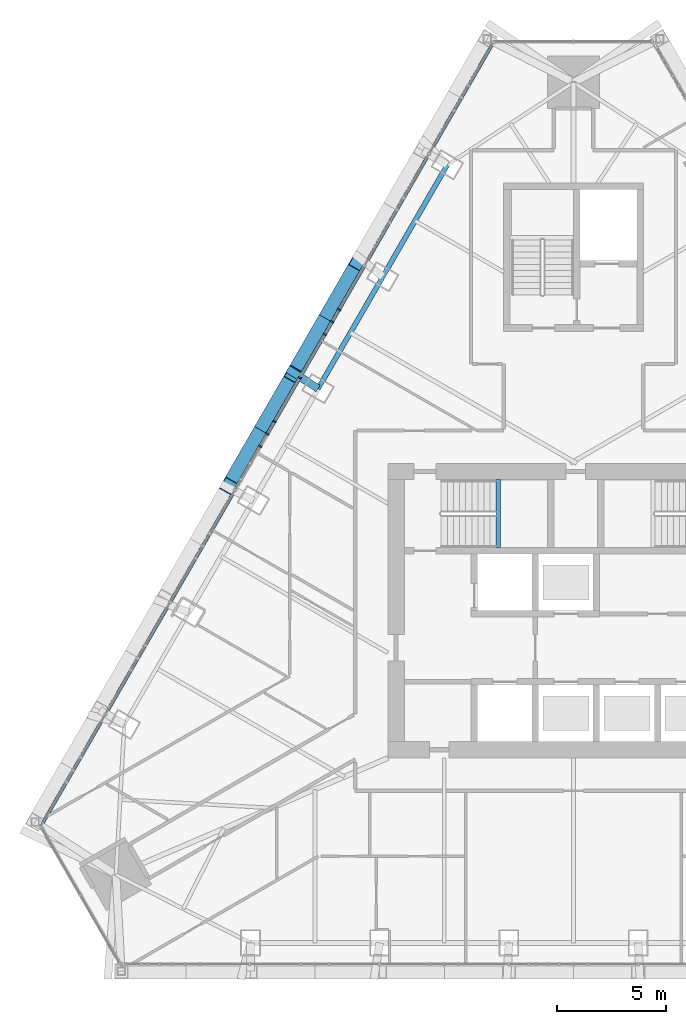
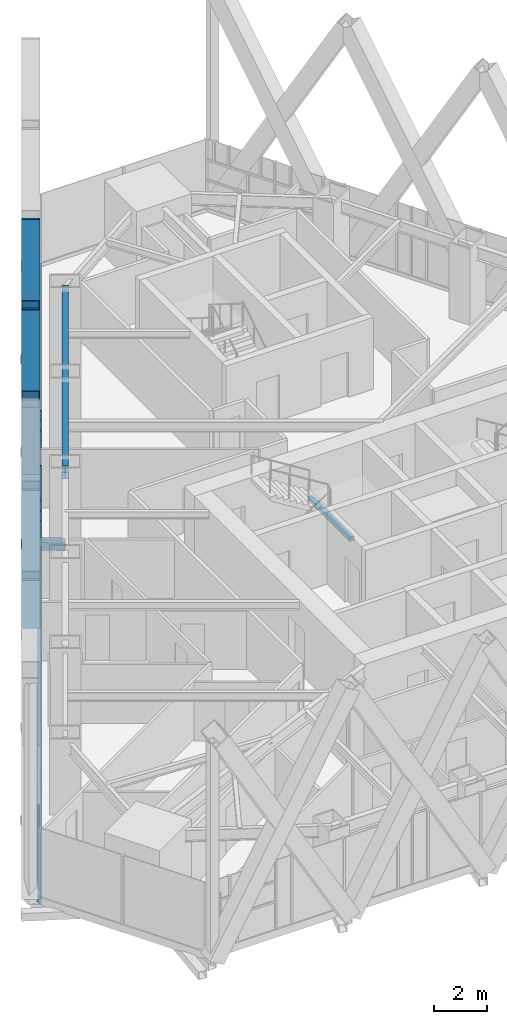
# One storey, part 5 of 23: 13 members, 2 beams, 1 element without a shape of its own.
"""IFC4 building model written with IfcOpenShell, lengths in metres."""

from ifc_helpers import new_model, si_unit, direction, frame, origin, origin_2d, place, context, subcontext, project, spatial, rectangle, hollow_rectangle, i_section, extrude, material, layer, layer_set, material_profile, profile_set, type_object, element, aggregate, save


model = new_model("IFC4")

# Units and contexts
model_context = context("Model", 3, precision=1e-05, world=origin(), true_north=direction((0.0, 1.0)))
body_context = subcontext(model_context, "Body", "Model", "MODEL_VIEW")
ifc_project = project(units=[si_unit("LENGTHUNIT", "METRE"), si_unit("AREAUNIT", "SQUARE_METRE"), si_unit("VOLUMEUNIT", "CUBIC_METRE"), si_unit("PLANEANGLEUNIT", "RADIAN"), si_unit("MASSUNIT", "GRAM", prefix="KILO")], contexts=[model_context])

# Site, building, storey
site_placement = place(None, origin())
site = spatial("IfcSite", under=ifc_project, at=site_placement, CompositionType="ELEMENT")
building_placement = place(site_placement, origin())
building = spatial("IfcBuilding", under=site, at=building_placement, Name="Firuza Gate Tower and Library", CompositionType="ELEMENT")
storey_placement = place(building_placement, frame((0.0, 0.0, 312.60009765625)))
storey = spatial("IfcBuildingStorey", under=building, at=storey_placement, Name="L76", CompositionType="ELEMENT", Elevation=312.60009765625)

# Members
ifc_material_1 = material(Name="Steel S355", Category="steel")
ifc_material_profile_1 = material_profile(ifc_material_1, hollow_rectangle(XDim=0.699951171875, YDim=0.699951171875, WallThickness=0.030029296875, at=origin_2d()))
ifc_profile_set_1 = profile_set([ifc_material_profile_1], Name="Steel S355")
member_type_1 = type_object("IfcMemberType", Name="BU700x700x30 Lattice brace", PredefinedType="BRACE", material=ifc_profile_set_1)
for number, where, z_axis, x_axis, name in (
    (1, (65.133544921875, 90.9501953125, 0.0), (-0.245560003274, -0.42533487865, 0.871085831475), (0.866031754707, -0.499988999718, 0.0), "Lattice brace W 20.3R"),
    (2, (62.173583984375, 85.8232421875, 0.0), (0.245560003274, 0.42533487865, 0.871085831475), (-0.866031754707, 0.499988999718, 0.0), "Lattice brace W 20.3L"),
    (3, (62.173583984375, 85.8232421875, 0.0), (-0.245560003274, -0.42533487865, 0.871085831475), (0.866031754707, -0.499988999718, 0.0), "Lattice brace W 20.4R"),
    (4, (59.213623046875, 80.6962890625, 0.0), (0.245560003274, 0.42533487865, 0.871085831475), (-0.866031754707, 0.499988999718, 0.0), "Lattice brace W 20.4L"),
):
    element("IfcMember", number, at=place(storey_placement, frame(where, z_axis=z_axis, x_axis=x_axis)), inside=storey, type_object=member_type_1, Name=name, PredefinedType="BRACE", context=body_context, shape_type="SweptSolid", body=[
        extrude(hollow_rectangle(XDim=0.699951171875, YDim=0.699951171875, WallThickness=0.030029296875, at=origin_2d()), origin(), (0.0, 0.0, 1.0), 12.053955078125),
    ])

# Curtain wall, members
ifc_material_2 = material(Name="Aluminium 6063-T6", Category="aluminium")
ifc_layer = layer(ifc_material_2, 0.14990234375)
ifc_layer_set = layer_set([ifc_layer], Name="Unitised curtain wall, residences")
curtain_wall_type = type_object("IfcCurtainWallType", Name="Unitised curtain wall, residences", PredefinedType="NOTDEFINED", material=ifc_layer_set)
curtain_wall_placement = place(storey_placement, origin())
curtain_wall = element("IfcCurtainWall", 5, at=curtain_wall_placement, inside=storey, type_object=curtain_wall_type, Name="CW3 L76 W face", PredefinedType="NOTDEFINED")
ifc_material_3 = material(Name="Aluminium 6063-T6", Category="aluminium")
ifc_material_profile_2 = material_profile(ifc_material_3, rectangle(XDim=0.14990234375, YDim=0.080078125, at=origin_2d()))
ifc_profile_set_2 = profile_set([ifc_material_profile_2], Name="Aluminium 6063-T6")
member_type_2 = type_object("IfcMemberType", Name="Curtain wall mullion 80x150", PredefinedType="MULLION", material=ifc_profile_set_2)
member_1_placement = place(storey_placement, frame((63.941162109375, 88.23486328125, 0.14990234375), z_axis=(0.0, 0.0, 1.0), x_axis=(0.866025403784, -0.5, 0.0)))
member_1 = element("IfcMember", 6, at=member_1_placement, type_object=member_type_2, Name="Mullion", PredefinedType="MULLION", context=body_context, shape_type="SweptSolid", body=[
    extrude(rectangle(XDim=0.14990234375, YDim=0.080078125, at=origin_2d()), origin(), (0.0, 0.0, 1.0), 3.14990234375),
])
member_2_placement = place(storey_placement, frame((62.458251953125, 85.666015625, 0.14990234375), z_axis=(0.0, 0.0, 1.0), x_axis=(0.866025403784, -0.5, 0.0)))
member_2 = element("IfcMember", 7, at=member_2_placement, type_object=member_type_2, Name="Mullion", PredefinedType="MULLION", context=body_context, shape_type="SweptSolid", body=[
    extrude(rectangle(XDim=0.14990234375, YDim=0.080078125, at=origin_2d()), origin(), (0.0, 0.0, 1.0), 3.14990234375),
])
member_3_placement = place(storey_placement, frame((60.97509765625, 83.097412109375, 0.14990234375), z_axis=(0.0, 0.0, 1.0), x_axis=(0.866025403784, -0.5, 0.0)))
member_3 = element("IfcMember", 8, at=member_3_placement, type_object=member_type_2, Name="Mullion", PredefinedType="MULLION", context=body_context, shape_type="SweptSolid", body=[
    extrude(rectangle(XDim=0.14990234375, YDim=0.080078125, at=origin_2d()), origin(), (0.0, 0.0, 1.0), 3.14990234375),
])
member_4_placement = place(storey_placement, frame((64.261474609375, 88.789306640625, 0.14990234375), z_axis=(0.0, 0.0, 1.0), x_axis=(0.866025403784, -0.5, 0.0)))
member_4 = element("IfcMember", 9, at=member_4_placement, type_object=member_type_2, Name="Mullion", PredefinedType="MULLION", context=body_context, shape_type="SweptSolid", body=[
    extrude(rectangle(XDim=0.14990234375, YDim=0.080078125, at=origin_2d()), origin(), (0.0, 0.0, 1.0), 3.14990234375),
])
member_5_placement = place(storey_placement, frame((63.608642578125, 87.658935546875, 0.14990234375), z_axis=(0.0, 0.0, 1.0), x_axis=(0.866025403784, -0.5, 0.0)))
member_5 = element("IfcMember", 10, at=member_5_placement, type_object=member_type_2, Name="Mullion", PredefinedType="MULLION", context=body_context, shape_type="SweptSolid", body=[
    extrude(rectangle(XDim=0.14990234375, YDim=0.080078125, at=origin_2d()), origin(), (0.0, 0.0, 1.0), 3.14990234375),
])
member_6_placement = place(storey_placement, frame((61.30126953125, 83.66259765625, 0.14990234375), z_axis=(0.0, 0.0, 1.0), x_axis=(0.866025403784, -0.5, 0.0)))
member_6 = element("IfcMember", 11, at=member_6_placement, type_object=member_type_2, Name="Mullion", PredefinedType="MULLION", context=body_context, shape_type="SweptSolid", body=[
    extrude(rectangle(XDim=0.14990234375, YDim=0.080078125, at=origin_2d()), origin(), (0.0, 0.0, 1.0), 3.14990234375),
])
member_7_placement = place(storey_placement, frame((60.648681640625, 82.5322265625, 1.764892578125), z_axis=(0.0, 0.0, 1.0), x_axis=(0.866025403784, -0.5, 0.0)))
member_7 = element("IfcMember", 12, at=member_7_placement, type_object=member_type_2, Name="Mullion", PredefinedType="MULLION", context=body_context, shape_type="SweptSolid", body=[
    extrude(rectangle(XDim=0.14990234375, YDim=0.080078125, at=origin_2d()), origin(), (0.0, 0.0, 1.0), 1.534912109375),
])
ifc_material_4 = material(Name="Aluminium 6063-T6", Category="aluminium")
ifc_material_profile_3 = material_profile(ifc_material_4, rectangle(XDim=0.14990234375, YDim=0.35009765625, at=origin_2d()))
ifc_profile_set_3 = profile_set([ifc_material_profile_3], Name="Aluminium 6063-T6")
member_type_3 = type_object("IfcMemberType", Name="Curtain wall transom 350x150", PredefinedType="USERDEFINED", material=ifc_profile_set_3)
member_8_placement = place(storey_placement, frame((71.356689453125, 101.078857421875, -0.025146484375), z_axis=(-0.499997436385, -0.866026883883, 0.0), x_axis=(0.866026883883, -0.499997436385, 0.0)))
member_8 = element("IfcMember", 13, at=member_8_placement, type_object=member_type_3, Name="Transom", ObjectType="TRANSOM", PredefinedType="USERDEFINED", context=body_context, shape_type="SweptSolid", body=[
    extrude(rectangle(XDim=0.14990234375, YDim=0.35009765625, at=origin_2d()), origin(), (0.0, 0.0, 1.0), 41.526611328125),
])
aggregate(curtain_wall, [member_1, member_2, member_3, member_8, member_4, member_5, member_6, member_7])

# Member
ifc_material_5 = material(Name="Steel S355", Category="steel")
ifc_material_profile_4 = material_profile(ifc_material_5, hollow_rectangle(XDim=0.355712890625, YDim=0.355712890625, WallThickness=0.014892578125, at=origin_2d()))
ifc_profile_set_4 = profile_set([ifc_material_profile_4], Name="Steel S355")
member_type_4 = type_object("IfcMemberType", Name="HSS356x356x16 Lattice node tie", PredefinedType="BRACE", material=ifc_profile_set_4)
member_9_placement = place(storey_placement, frame((63.29931640625, 85.17333984375, -0.320068359375), z_axis=(-0.838228218918, 0.545319587957, 0.0), x_axis=(-0.545319587957, -0.838228218918, 0.0)))
element("IfcMember", 14, at=member_9_placement, inside=storey, type_object=member_type_4, Name="Lattice node tie W L76 559", PredefinedType="BRACE", context=body_context, shape_type="SweptSolid", body=[
    extrude(hollow_rectangle(XDim=0.355712890625, YDim=0.355712890625, WallThickness=0.014892578125, at=origin_2d()), origin(), (0.0, 0.0, 1.0), 1.657958984375),
])

# Beams
ifc_material_6 = material(Name="Concrete C35/45", Category="concrete")
ifc_material_profile_5 = material_profile(ifc_material_6, rectangle(XDim=0.199951171875, YDim=0.199951171875, at=origin_2d()))
ifc_profile_set_5 = profile_set([ifc_material_profile_5], Name="Concrete C35/45")
beam_type_1 = type_object("IfcBeamType", Name="Stair landing bearer 200x200", PredefinedType="BEAM", material=ifc_profile_set_5)
beam_1_placement = place(storey_placement, frame((71.56005859375, 77.89990234375, 1.449951171875), z_axis=(0.0, 1.0, 0.0), x_axis=(-1.0, 0.0, 0.0)))
element("IfcBeam", 15, at=beam_1_placement, inside=storey, type_object=beam_type_1, Name="Landing bearer L76 stair 1", PredefinedType="BEAM", context=body_context, shape_type="SweptSolid", body=[
    extrude(rectangle(XDim=0.199951171875, YDim=0.199951171875, at=origin_2d()), origin(), (0.0, 0.0, 1.0), 3.10009765625),
])
ifc_material_7 = material(Name="Steel S355", Category="steel")
ifc_material_profile_6 = material_profile(ifc_material_7, i_section(OverallWidth=0.22900390625, OverallDepth=0.612060546875, WebThickness=0.011962890625, FlangeThickness=0.01953125, at=origin_2d()))
ifc_profile_set_6 = profile_set([ifc_material_profile_6], Name="Steel S355")
beam_type_2 = type_object("IfcBeamType", Name="W610x125 Edge beam", PredefinedType="SPANDREL", material=ifc_profile_set_6)
beam_2_placement = place(storey_placement, frame((69.219482421875, 95.427001953125, 2.993896484375), z_axis=(-0.500013393289, -0.866017671027, 0.0), x_axis=(0.866017671027, -0.500013393289, 0.0)))
element("IfcBeam", 16, at=beam_2_placement, inside=storey, type_object=beam_type_2, Name="Edge beam L76 e80", PredefinedType="SPANDREL", context=body_context, shape_type="SweptSolid", body=[
    extrude(i_section(OverallWidth=0.22900390625, OverallDepth=0.612060546875, WebThickness=0.011962890625, FlangeThickness=0.01953125, at=origin_2d()), origin(), (0.0, 0.0, 1.0), 11.840087890625),
])

save(model, "model.ifc")
